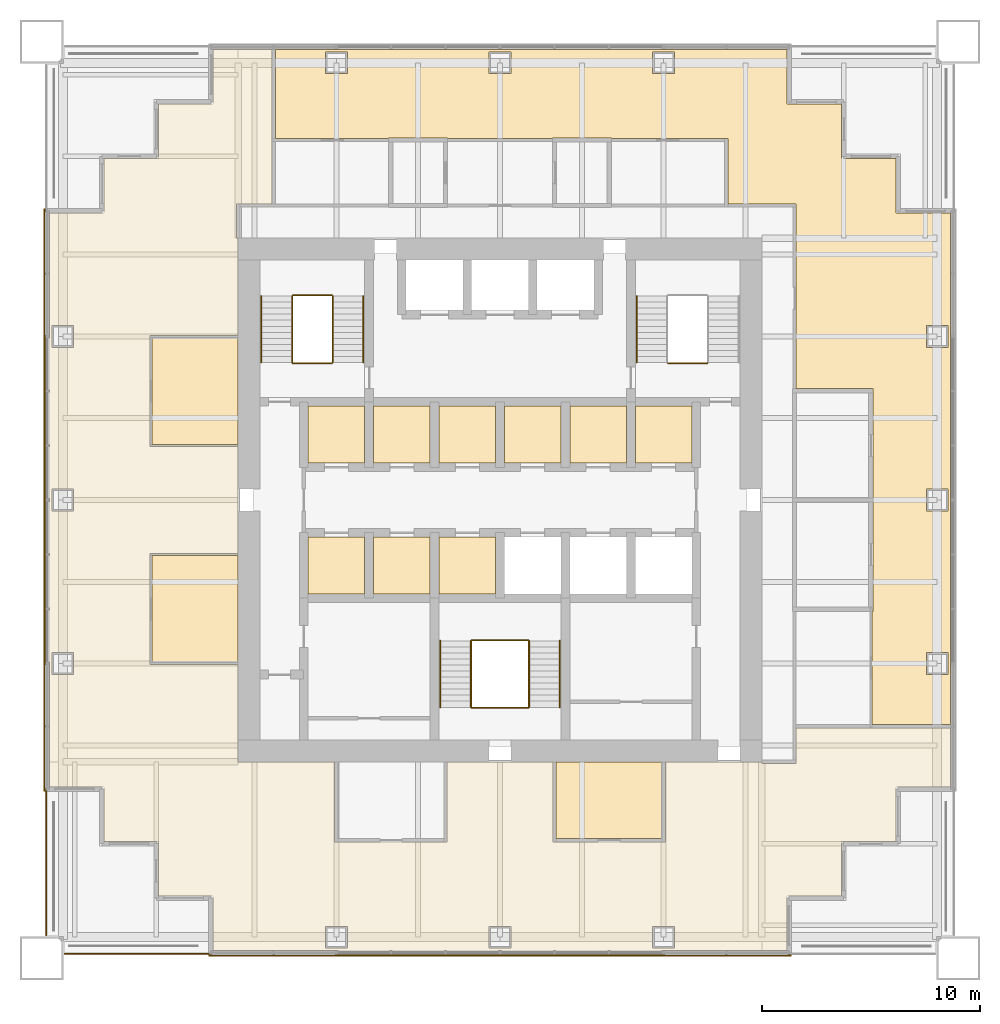
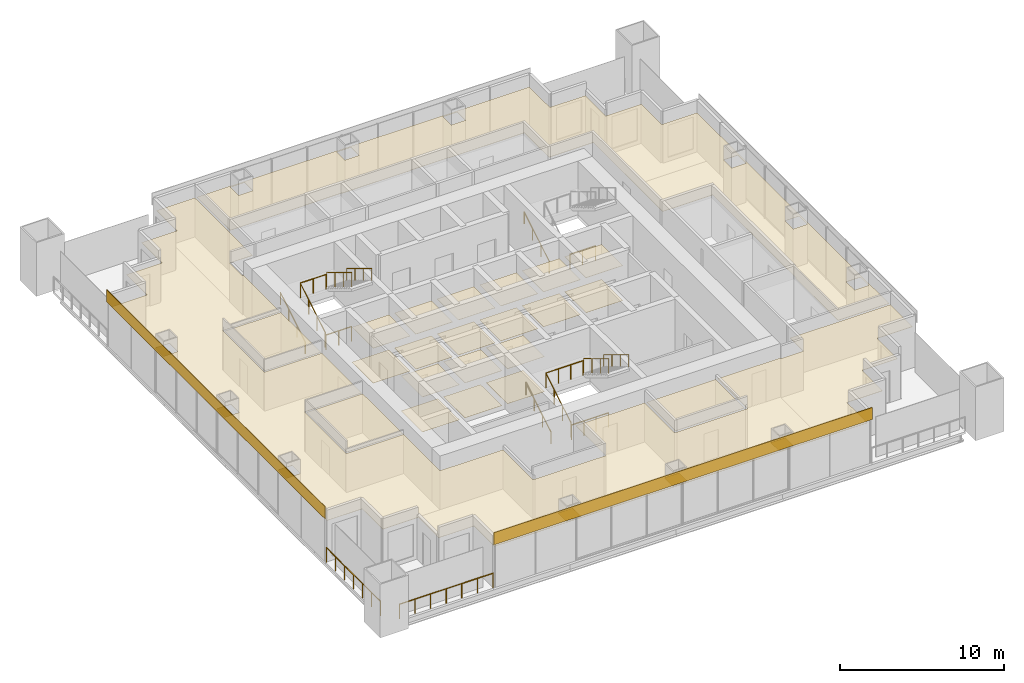
# One storey, part 13 of 14: 25 coverings, 16 railings.
"""IFC4 building model written with IfcOpenShell, lengths in metres."""

from ifc_helpers import new_model, si_unit, direction, frame, origin, origin_2d, place, context, subcontext, project, spatial, polyline, rectangle, circle, outline, extrude, material, layer, layer_set, type_object, element, save


model = new_model("IFC4")

# Units and contexts
model_context = context("Model", 3, precision=1e-05, world=origin(), true_north=direction((0.0, 1.0)))
body_context = subcontext(model_context, "Body", "Model", "MODEL_VIEW")
ifc_project = project(units=[si_unit("LENGTHUNIT", "METRE"), si_unit("AREAUNIT", "SQUARE_METRE"), si_unit("VOLUMEUNIT", "CUBIC_METRE"), si_unit("PLANEANGLEUNIT", "RADIAN"), si_unit("MASSUNIT", "GRAM", prefix="KILO")], contexts=[model_context])

# Site, building, storey
site_placement = place(None, origin())
site = spatial("IfcSite", under=ifc_project, at=site_placement, CompositionType="ELEMENT")
building_placement = place(site_placement, origin())
building = spatial("IfcBuilding", under=site, at=building_placement, Name="Tarangal Relay Tower", CompositionType="ELEMENT")
storey_placement = place(building_placement, frame((0.0, 0.0, 323.89990234375)))
storey = spatial("IfcBuildingStorey", under=building, at=storey_placement, Name="L72", CompositionType="ELEMENT", Elevation=323.89990234375)

# Coverings
ifc_material_1 = material(Name="Anti-static vinyl flooring", Category="plastic")
ifc_layer_1 = layer(ifc_material_1, 0.010009765625)
ifc_layer_set_1 = layer_set([ifc_layer_1], Name="Anti-static vinyl floor")
covering_type_1 = type_object("IfcCoveringType", Name="Anti-static vinyl floor", PredefinedType="FLOORING", material=ifc_layer_set_1)
covering_1_placement = place(storey_placement, origin())
element("IfcCovering", 1, at=covering_1_placement, inside=storey, type_object=covering_type_1, Name="Floor finish FL1 L72-D1", PredefinedType="FLOORING", context=body_context, shape_type="SweptSolid", body=[
    extrude(outline(polyline([(-8.800048828125, 1.699951171875), (-6.199951171875, 1.699951171875), (-6.199951171875, 4.300048828125), (-8.800048828125, 4.300048828125), (-8.800048828125, 1.699951171875)])), origin(), (0.0, 0.0, 1.0), 0.010009765625),
])
covering_2_placement = place(storey_placement, origin())
element("IfcCovering", 2, at=covering_2_placement, inside=storey, type_object=covering_type_1, Name="Floor finish FL1 L72-D2", PredefinedType="FLOORING", context=body_context, shape_type="SweptSolid", body=[
    extrude(outline(polyline([(-5.800048828125, 1.699951171875), (-3.199951171875, 1.699951171875), (-3.199951171875, 4.300048828125), (-5.800048828125, 4.300048828125), (-5.800048828125, 1.699951171875)])), origin(), (0.0, 0.0, 1.0), 0.010009765625),
])
covering_3_placement = place(storey_placement, origin())
element("IfcCovering", 3, at=covering_3_placement, inside=storey, type_object=covering_type_1, Name="Floor finish FL1 L72-D3", PredefinedType="FLOORING", context=body_context, shape_type="SweptSolid", body=[
    extrude(outline(polyline([(-2.800048828125, 1.699951171875), (-0.199951171875, 1.699951171875), (-0.199951171875, 4.300048828125), (-2.800048828125, 4.300048828125), (-2.800048828125, 1.699951171875)])), origin(), (0.0, 0.0, 1.0), 0.010009765625),
])
covering_4_placement = place(storey_placement, origin())
element("IfcCovering", 4, at=covering_4_placement, inside=storey, type_object=covering_type_1, Name="Floor finish FL1 L72-T1", PredefinedType="FLOORING", context=body_context, shape_type="SweptSolid", body=[
    extrude(outline(polyline([(0.199951171875, 1.699951171875), (2.800048828125, 1.699951171875), (2.800048828125, 4.300048828125), (0.199951171875, 4.300048828125), (0.199951171875, 1.699951171875)])), origin(), (0.0, 0.0, 1.0), 0.010009765625),
])
covering_5_placement = place(storey_placement, origin())
element("IfcCovering", 5, at=covering_5_placement, inside=storey, type_object=covering_type_1, Name="Floor finish FL1 L72-T2", PredefinedType="FLOORING", context=body_context, shape_type="SweptSolid", body=[
    extrude(outline(polyline([(3.199951171875, 1.699951171875), (5.800048828125, 1.699951171875), (5.800048828125, 4.300048828125), (3.199951171875, 4.300048828125), (3.199951171875, 1.699951171875)])), origin(), (0.0, 0.0, 1.0), 0.010009765625),
])
covering_6_placement = place(storey_placement, origin())
element("IfcCovering", 6, at=covering_6_placement, inside=storey, type_object=covering_type_1, Name="Floor finish FL1 L72-T3", PredefinedType="FLOORING", context=body_context, shape_type="SweptSolid", body=[
    extrude(outline(polyline([(6.199951171875, 1.699951171875), (8.800048828125, 1.699951171875), (8.800048828125, 4.300048828125), (6.199951171875, 4.300048828125), (6.199951171875, 1.699951171875)])), origin(), (0.0, 0.0, 1.0), 0.010009765625),
])
covering_7_placement = place(storey_placement, origin())
element("IfcCovering", 7, at=covering_7_placement, inside=storey, type_object=covering_type_1, Name="Floor finish FL1 L72-S1", PredefinedType="FLOORING", context=body_context, shape_type="SweptSolid", body=[
    extrude(outline(polyline([(-8.800048828125, -4.300048828125), (-6.199951171875, -4.300048828125), (-6.199951171875, -1.699951171875), (-8.800048828125, -1.699951171875), (-8.800048828125, -4.300048828125)])), origin(), (0.0, 0.0, 1.0), 0.010009765625),
])
covering_8_placement = place(storey_placement, origin())
element("IfcCovering", 8, at=covering_8_placement, inside=storey, type_object=covering_type_1, Name="Floor finish FL1 L72-S2", PredefinedType="FLOORING", context=body_context, shape_type="SweptSolid", body=[
    extrude(outline(polyline([(-5.800048828125, -4.300048828125), (-3.199951171875, -4.300048828125), (-3.199951171875, -1.699951171875), (-5.800048828125, -1.699951171875), (-5.800048828125, -4.300048828125)])), origin(), (0.0, 0.0, 1.0), 0.010009765625),
])
covering_9_placement = place(storey_placement, origin())
element("IfcCovering", 9, at=covering_9_placement, inside=storey, type_object=covering_type_1, Name="Floor finish FL1 L72-S3", PredefinedType="FLOORING", context=body_context, shape_type="SweptSolid", body=[
    extrude(outline(polyline([(-2.800048828125, -4.300048828125), (-0.199951171875, -4.300048828125), (-0.199951171875, -1.699951171875), (-2.800048828125, -1.699951171875), (-2.800048828125, -4.300048828125)])), origin(), (0.0, 0.0, 1.0), 0.010009765625),
])
ifc_material_2 = material(Name="Black anodised aluminium cladding", Category="aluminium")
ifc_layer_2 = layer(ifc_material_2, 0.050048828125)
ifc_layer_set_2 = layer_set([ifc_layer_2], Name="Black metal spandrel band")
covering_type_2 = type_object("IfcCoveringType", Name="Black metal spandrel band", PredefinedType="CLADDING", material=ifc_layer_set_2)
for number, where, z_axis, x_axis, name in (
    (10, (0.0, -20.875, 3.250244140625), (0.0, 0.0, 1.0), (-1.0, 0.0, 0.0), "Spandrel band SB1 S L72"),
    (11, (-20.875, 0.0, 3.250244140625), (0.0, 0.0, 1.0), (0.0, 1.0, 0.0), "Spandrel band SB1 W L72"),
):
    element("IfcCovering", number, at=place(storey_placement, frame(where, z_axis=z_axis, x_axis=x_axis)), inside=storey, type_object=covering_type_2, Name=name, PredefinedType="CLADDING", context=body_context, shape_type="SweptSolid", body=[
        extrude(rectangle(XDim=26.699951171875, YDim=0.050048828125, at=origin_2d()), origin(), (0.0, 0.0, 1.0), 0.89990234375),
    ])

# Railings
ifc_material_3 = material(Name="Steel guard, black finish", Category="steel")
railing_type_1 = type_object("IfcRailingType", Name="Stair guard 1100", PredefinedType="GUARDRAIL", material=ifc_material_3)
railing_1_placement = place(storey_placement, frame((-9.530029296875, 6.300048828125, 0.166748046875)))
element("IfcRailing", 12, at=railing_1_placement, inside=storey, type_object=railing_type_1, Name="Stair ST-A guard GR1 L72 flight 1", PredefinedType="GUARDRAIL", context=body_context, shape_type="SweptSolid", body=[
    extrude(circle(Radius=0.02392578125, at=origin_2d()), frame((0.0, 0.0, 1.076171875), z_axis=(0.0, 0.85685617095, 0.515555527858), x_axis=(-1.0, 0.0, 0.0)), (0.0, 0.0, 1.0), 3.555908203125),
    extrude(circle(Radius=0.02099609375, at=origin_2d()), origin(), (0.0, 0.0, 1.0), 1.052001953125),
    extrude(circle(Radius=0.02099609375, at=origin_2d()), frame((0.0, 1.015625, 0.611083984375)), (0.0, 0.0, 1.0), 1.052001953125),
    extrude(circle(Radius=0.02099609375, at=origin_2d()), frame((0.0, 2.03125, 1.22216796875)), (0.0, 0.0, 1.0), 1.052001953125),
    extrude(circle(Radius=0.02099609375, at=origin_2d()), frame((0.0, 3.046875, 1.833251953125)), (0.0, 0.0, 1.0), 1.052001953125),
])
railing_2_placement = place(storey_placement, frame((-7.669921875, 9.346923828125, 2.166748046875)))
element("IfcRailing", 13, at=railing_2_placement, inside=storey, type_object=railing_type_1, Name="Stair ST-A guard GR1 L72 flight 2", PredefinedType="GUARDRAIL", context=body_context, shape_type="SweptSolid", body=[
    extrude(circle(Radius=0.02392578125, at=origin_2d()), frame((0.0, 0.0, 1.076171875), z_axis=(0.0, -0.85685617095, 0.515555527858), x_axis=(1.0, 0.0, 0.0)), (0.0, 0.0, 1.0), 3.555908203125),
    extrude(circle(Radius=0.02099609375, at=origin_2d()), origin(), (0.0, 0.0, 1.0), 1.052001953125),
    extrude(circle(Radius=0.02099609375, at=origin_2d()), frame((0.0, -1.015625, 0.611083984375)), (0.0, 0.0, 1.0), 1.052001953125),
    extrude(circle(Radius=0.02099609375, at=origin_2d()), frame((0.0, -2.03125, 1.22216796875)), (0.0, 0.0, 1.0), 1.052001953125),
    extrude(circle(Radius=0.02099609375, at=origin_2d()), frame((0.0, -3.046875, 1.833251953125)), (0.0, 0.0, 1.0), 1.052001953125),
])
for number, where, name in (
    (14, (-9.5, 6.27001953125, 0.0), "Stair ST-A landing guard GR1 L72"),
    (15, (-9.5, 9.376953125, 2.0), "Stair ST-A landing guard GR1 L72"),
    (16, (7.699951171875, 6.27001953125, 0.0), "Stair ST-B landing guard GR1 L72"),
):
    element("IfcRailing", number, at=place(storey_placement, frame(where)), inside=storey, type_object=railing_type_1, Name=name, PredefinedType="GUARDRAIL", context=body_context, shape_type="SweptSolid", body=[
        extrude(circle(Radius=0.02392578125, at=origin_2d()), frame((0.0, 0.0, 1.076171875), z_axis=(1.0, 0.0, 0.0), x_axis=(0.0, 1.0, 0.0)), (0.0, 0.0, 1.0), 1.800048828125),
        extrude(circle(Radius=0.02099609375, at=origin_2d()), origin(), (0.0, 0.0, 1.0), 1.052001953125),
        extrude(circle(Radius=0.02099609375, at=origin_2d()), frame((0.89990234375, 0.0, 0.0)), (0.0, 0.0, 1.0), 1.052001953125),
        extrude(circle(Radius=0.02099609375, at=origin_2d()), frame((1.800048828125, 0.0, 0.0)), (0.0, 0.0, 1.0), 1.052001953125),
    ])
railing_3_placement = place(storey_placement, frame((-1.330078125, -9.5, 0.166748046875)))
element("IfcRailing", 17, at=railing_3_placement, inside=storey, type_object=railing_type_1, Name="Stair ST-C guard GR1 L72 flight 1", PredefinedType="GUARDRAIL", context=body_context, shape_type="SweptSolid", body=[
    extrude(circle(Radius=0.02392578125, at=origin_2d()), frame((0.0, 0.0, 1.076171875), z_axis=(0.0, 0.856874418557, 0.515525199018), x_axis=(-1.0, 0.0, 0.0)), (0.0, 0.0, 1.0), 3.55615234375),
    extrude(circle(Radius=0.02099609375, at=origin_2d()), origin(), (0.0, 0.0, 1.0), 1.052001953125),
    extrude(circle(Radius=0.02099609375, at=origin_2d()), frame((0.0, 1.015625, 0.611083984375)), (0.0, 0.0, 1.0), 1.052001953125),
    extrude(circle(Radius=0.02099609375, at=origin_2d()), frame((0.0, 2.031494140625, 1.22216796875)), (0.0, 0.0, 1.0), 1.052001953125),
    extrude(circle(Radius=0.02099609375, at=origin_2d()), frame((0.0, 3.047119140625, 1.833251953125)), (0.0, 0.0, 1.0), 1.052001953125),
])
railing_4_placement = place(storey_placement, frame((1.330078125, -6.452880859375, 2.166748046875)))
element("IfcRailing", 18, at=railing_4_placement, inside=storey, type_object=railing_type_1, Name="Stair ST-C guard GR1 L72 flight 2", PredefinedType="GUARDRAIL", context=body_context, shape_type="SweptSolid", body=[
    extrude(circle(Radius=0.02392578125, at=origin_2d()), frame((0.0, 0.0, 1.076171875), z_axis=(0.0, -0.856874418557, 0.515525199018), x_axis=(1.0, 0.0, 0.0)), (0.0, 0.0, 1.0), 3.55615234375),
    extrude(circle(Radius=0.02099609375, at=origin_2d()), origin(), (0.0, 0.0, 1.0), 1.052001953125),
    extrude(circle(Radius=0.02099609375, at=origin_2d()), frame((0.0, -1.015625, 0.611083984375)), (0.0, 0.0, 1.0), 1.052001953125),
    extrude(circle(Radius=0.02099609375, at=origin_2d()), frame((0.0, -2.031494140625, 1.22216796875)), (0.0, 0.0, 1.0), 1.052001953125),
    extrude(circle(Radius=0.02099609375, at=origin_2d()), frame((0.0, -3.047119140625, 1.833251953125)), (0.0, 0.0, 1.0), 1.052001953125),
])
for number, where, name in (
    (19, (-1.300048828125, -9.530029296875, 0.0), "Stair ST-C landing guard GR1 L72"),
    (20, (-1.300048828125, -6.423095703125, 2.0), "Stair ST-C landing guard GR1 L72"),
):
    element("IfcRailing", number, at=place(storey_placement, frame(where)), inside=storey, type_object=railing_type_1, Name=name, PredefinedType="GUARDRAIL", context=body_context, shape_type="SweptSolid", body=[
        extrude(circle(Radius=0.02392578125, at=origin_2d()), frame((0.0, 0.0, 1.076171875), z_axis=(1.0, 0.0, 0.0), x_axis=(0.0, 1.0, 0.0)), (0.0, 0.0, 1.0), 2.60009765625),
        extrude(circle(Radius=0.02099609375, at=origin_2d()), origin(), (0.0, 0.0, 1.0), 1.052001953125),
        extrude(circle(Radius=0.02099609375, at=origin_2d()), frame((0.86669921875, 0.0, 0.0)), (0.0, 0.0, 1.0), 1.052001953125),
        extrude(circle(Radius=0.02099609375, at=origin_2d()), frame((1.7333984375, 0.0, 0.0)), (0.0, 0.0, 1.0), 1.052001953125),
        extrude(circle(Radius=0.02099609375, at=origin_2d()), frame((2.60009765625, 0.0, 0.0)), (0.0, 0.0, 1.0), 1.052001953125),
    ])
ifc_material_4 = material(Name="Steel handrail, black finish", Category="steel")
railing_type_2 = type_object("IfcRailingType", Name="Stair handrail 900", PredefinedType="HANDRAIL", material=ifc_material_4)
railing_5_placement = place(storey_placement, frame((-10.93994140625, 6.300048828125, 0.166748046875)))
element("IfcRailing", 21, at=railing_5_placement, inside=storey, type_object=railing_type_2, Name="Stair ST-A handrail HR1 L72 flight 1", PredefinedType="HANDRAIL", context=body_context, shape_type="SweptSolid", body=[
    extrude(circle(Radius=0.02392578125, at=origin_2d()), frame((0.0, 0.0, 0.8759765625), z_axis=(0.0, 0.85685617095, 0.515555527858), x_axis=(-1.0, 0.0, 0.0)), (0.0, 0.0, 1.0), 3.555908203125),
    extrude(circle(Radius=0.02099609375, at=origin_2d()), origin(), (0.0, 0.0, 1.0), 0.851806640625),
    extrude(circle(Radius=0.02099609375, at=origin_2d()), frame((0.0, 1.015625, 0.611083984375)), (0.0, 0.0, 1.0), 0.851806640625),
    extrude(circle(Radius=0.02099609375, at=origin_2d()), frame((0.0, 2.03125, 1.22216796875)), (0.0, 0.0, 1.0), 0.851806640625),
    extrude(circle(Radius=0.02099609375, at=origin_2d()), frame((0.0, 3.046875, 1.833251953125)), (0.0, 0.0, 1.0), 0.851806640625),
])
railing_6_placement = place(storey_placement, frame((-6.260009765625, 9.346923828125, 2.166748046875)))
element("IfcRailing", 22, at=railing_6_placement, inside=storey, type_object=railing_type_2, Name="Stair ST-A handrail HR1 L72 flight 2", PredefinedType="HANDRAIL", context=body_context, shape_type="SweptSolid", body=[
    extrude(circle(Radius=0.02392578125, at=origin_2d()), frame((0.0, 0.0, 0.8759765625), z_axis=(0.0, -0.85685617095, 0.515555527858), x_axis=(1.0, 0.0, 0.0)), (0.0, 0.0, 1.0), 3.555908203125),
    extrude(circle(Radius=0.02099609375, at=origin_2d()), origin(), (0.0, 0.0, 1.0), 0.851806640625),
    extrude(circle(Radius=0.02099609375, at=origin_2d()), frame((0.0, -1.015625, 0.611083984375)), (0.0, 0.0, 1.0), 0.851806640625),
    extrude(circle(Radius=0.02099609375, at=origin_2d()), frame((0.0, -2.03125, 1.22216796875)), (0.0, 0.0, 1.0), 0.851806640625),
    extrude(circle(Radius=0.02099609375, at=origin_2d()), frame((0.0, -3.046875, 1.833251953125)), (0.0, 0.0, 1.0), 0.851806640625),
])
railing_7_placement = place(storey_placement, frame((6.260009765625, 6.300048828125, 0.166748046875)))
element("IfcRailing", 23, at=railing_7_placement, inside=storey, type_object=railing_type_2, Name="Stair ST-B handrail HR1 L72 flight 1", PredefinedType="HANDRAIL", context=body_context, shape_type="SweptSolid", body=[
    extrude(circle(Radius=0.02392578125, at=origin_2d()), frame((0.0, 0.0, 0.8759765625), z_axis=(0.0, 0.85685617095, 0.515555527858), x_axis=(-1.0, 0.0, 0.0)), (0.0, 0.0, 1.0), 3.555908203125),
    extrude(circle(Radius=0.02099609375, at=origin_2d()), origin(), (0.0, 0.0, 1.0), 0.851806640625),
    extrude(circle(Radius=0.02099609375, at=origin_2d()), frame((0.0, 1.015625, 0.611083984375)), (0.0, 0.0, 1.0), 0.851806640625),
    extrude(circle(Radius=0.02099609375, at=origin_2d()), frame((0.0, 2.03125, 1.22216796875)), (0.0, 0.0, 1.0), 0.851806640625),
    extrude(circle(Radius=0.02099609375, at=origin_2d()), frame((0.0, 3.046875, 1.833251953125)), (0.0, 0.0, 1.0), 0.851806640625),
])
railing_8_placement = place(storey_placement, frame((-2.739990234375, -9.5, 0.166748046875)))
element("IfcRailing", 24, at=railing_8_placement, inside=storey, type_object=railing_type_2, Name="Stair ST-C handrail HR1 L72 flight 1", PredefinedType="HANDRAIL", context=body_context, shape_type="SweptSolid", body=[
    extrude(circle(Radius=0.02392578125, at=origin_2d()), frame((0.0, 0.0, 0.8759765625), z_axis=(0.0, 0.856874418557, 0.515525199018), x_axis=(-1.0, 0.0, 0.0)), (0.0, 0.0, 1.0), 3.55615234375),
    extrude(circle(Radius=0.02099609375, at=origin_2d()), origin(), (0.0, 0.0, 1.0), 0.851806640625),
    extrude(circle(Radius=0.02099609375, at=origin_2d()), frame((0.0, 1.015625, 0.611083984375)), (0.0, 0.0, 1.0), 0.851806640625),
    extrude(circle(Radius=0.02099609375, at=origin_2d()), frame((0.0, 2.031494140625, 1.22216796875)), (0.0, 0.0, 1.0), 0.851806640625),
    extrude(circle(Radius=0.02099609375, at=origin_2d()), frame((0.0, 3.047119140625, 1.833251953125)), (0.0, 0.0, 1.0), 0.851806640625),
])
railing_9_placement = place(storey_placement, frame((2.739990234375, -6.452880859375, 2.166748046875)))
element("IfcRailing", 25, at=railing_9_placement, inside=storey, type_object=railing_type_2, Name="Stair ST-C handrail HR1 L72 flight 2", PredefinedType="HANDRAIL", context=body_context, shape_type="SweptSolid", body=[
    extrude(circle(Radius=0.02392578125, at=origin_2d()), frame((0.0, 0.0, 0.8759765625), z_axis=(0.0, -0.856874418557, 0.515525199018), x_axis=(1.0, 0.0, 0.0)), (0.0, 0.0, 1.0), 3.55615234375),
    extrude(circle(Radius=0.02099609375, at=origin_2d()), origin(), (0.0, 0.0, 1.0), 0.851806640625),
    extrude(circle(Radius=0.02099609375, at=origin_2d()), frame((0.0, -1.015625, 0.611083984375)), (0.0, 0.0, 1.0), 0.851806640625),
    extrude(circle(Radius=0.02099609375, at=origin_2d()), frame((0.0, -2.031494140625, 1.22216796875)), (0.0, 0.0, 1.0), 0.851806640625),
    extrude(circle(Radius=0.02099609375, at=origin_2d()), frame((0.0, -3.047119140625, 1.833251953125)), (0.0, 0.0, 1.0), 0.851806640625),
])

# Coverings
ifc_material_5 = material(Name="Mineral fibre ceiling tiles", Category="gypsum")
ifc_layer_3 = layer(ifc_material_5, 0.02001953125)
ifc_layer_set_3 = layer_set([ifc_layer_3], Name="Suspended ceiling")
covering_type_3 = type_object("IfcCoveringType", Name="Suspended ceiling", PredefinedType="CEILING", material=ifc_layer_set_3)
covering_10_placement = place(storey_placement, frame((0.0, 0.0, 2.60009765625)))
element("IfcCovering", 26, at=covering_10_placement, inside=storey, type_object=covering_type_3, Name="Suspended ceiling CL1 L72-D1", PredefinedType="CEILING", context=body_context, shape_type="SweptSolid", body=[
    extrude(outline(polyline([(-8.800048828125, 1.699951171875), (-6.199951171875, 1.699951171875), (-6.199951171875, 4.300048828125), (-8.800048828125, 4.300048828125), (-8.800048828125, 1.699951171875)])), origin(), (0.0, 0.0, 1.0), 0.02001953125),
])
covering_11_placement = place(storey_placement, frame((0.0, 0.0, 2.60009765625)))
element("IfcCovering", 27, at=covering_11_placement, inside=storey, type_object=covering_type_3, Name="Suspended ceiling CL1 L72-D2", PredefinedType="CEILING", context=body_context, shape_type="SweptSolid", body=[
    extrude(outline(polyline([(-5.800048828125, 1.699951171875), (-3.199951171875, 1.699951171875), (-3.199951171875, 4.300048828125), (-5.800048828125, 4.300048828125), (-5.800048828125, 1.699951171875)])), origin(), (0.0, 0.0, 1.0), 0.02001953125),
])
covering_12_placement = place(storey_placement, frame((0.0, 0.0, 2.60009765625)))
element("IfcCovering", 28, at=covering_12_placement, inside=storey, type_object=covering_type_3, Name="Suspended ceiling CL1 L72-D3", PredefinedType="CEILING", context=body_context, shape_type="SweptSolid", body=[
    extrude(outline(polyline([(-2.800048828125, 1.699951171875), (-0.199951171875, 1.699951171875), (-0.199951171875, 4.300048828125), (-2.800048828125, 4.300048828125), (-2.800048828125, 1.699951171875)])), origin(), (0.0, 0.0, 1.0), 0.02001953125),
])
covering_13_placement = place(storey_placement, frame((0.0, 0.0, 2.60009765625)))
element("IfcCovering", 29, at=covering_13_placement, inside=storey, type_object=covering_type_3, Name="Suspended ceiling CL1 L72-T1", PredefinedType="CEILING", context=body_context, shape_type="SweptSolid", body=[
    extrude(outline(polyline([(0.199951171875, 1.699951171875), (2.800048828125, 1.699951171875), (2.800048828125, 4.300048828125), (0.199951171875, 4.300048828125), (0.199951171875, 1.699951171875)])), origin(), (0.0, 0.0, 1.0), 0.02001953125),
])
covering_14_placement = place(storey_placement, frame((0.0, 0.0, 2.60009765625)))
element("IfcCovering", 30, at=covering_14_placement, inside=storey, type_object=covering_type_3, Name="Suspended ceiling CL1 L72-T2", PredefinedType="CEILING", context=body_context, shape_type="SweptSolid", body=[
    extrude(outline(polyline([(3.199951171875, 1.699951171875), (5.800048828125, 1.699951171875), (5.800048828125, 4.300048828125), (3.199951171875, 4.300048828125), (3.199951171875, 1.699951171875)])), origin(), (0.0, 0.0, 1.0), 0.02001953125),
])
covering_15_placement = place(storey_placement, frame((0.0, 0.0, 2.60009765625)))
element("IfcCovering", 31, at=covering_15_placement, inside=storey, type_object=covering_type_3, Name="Suspended ceiling CL1 L72-T3", PredefinedType="CEILING", context=body_context, shape_type="SweptSolid", body=[
    extrude(outline(polyline([(6.199951171875, 1.699951171875), (8.800048828125, 1.699951171875), (8.800048828125, 4.300048828125), (6.199951171875, 4.300048828125), (6.199951171875, 1.699951171875)])), origin(), (0.0, 0.0, 1.0), 0.02001953125),
])
covering_16_placement = place(storey_placement, frame((0.0, 0.0, 2.60009765625)))
element("IfcCovering", 32, at=covering_16_placement, inside=storey, type_object=covering_type_3, Name="Suspended ceiling CL1 L72-S1", PredefinedType="CEILING", context=body_context, shape_type="SweptSolid", body=[
    extrude(outline(polyline([(-8.800048828125, -4.300048828125), (-6.199951171875, -4.300048828125), (-6.199951171875, -1.699951171875), (-8.800048828125, -1.699951171875), (-8.800048828125, -4.300048828125)])), origin(), (0.0, 0.0, 1.0), 0.02001953125),
])
covering_17_placement = place(storey_placement, frame((0.0, 0.0, 2.60009765625)))
element("IfcCovering", 33, at=covering_17_placement, inside=storey, type_object=covering_type_3, Name="Suspended ceiling CL1 L72-S2", PredefinedType="CEILING", context=body_context, shape_type="SweptSolid", body=[
    extrude(outline(polyline([(-5.800048828125, -4.300048828125), (-3.199951171875, -4.300048828125), (-3.199951171875, -1.699951171875), (-5.800048828125, -1.699951171875), (-5.800048828125, -4.300048828125)])), origin(), (0.0, 0.0, 1.0), 0.02001953125),
])
covering_18_placement = place(storey_placement, frame((0.0, 0.0, 2.60009765625)))
element("IfcCovering", 34, at=covering_18_placement, inside=storey, type_object=covering_type_3, Name="Suspended ceiling CL1 L72-S3", PredefinedType="CEILING", context=body_context, shape_type="SweptSolid", body=[
    extrude(outline(polyline([(-2.800048828125, -4.300048828125), (-0.199951171875, -4.300048828125), (-0.199951171875, -1.699951171875), (-2.800048828125, -1.699951171875), (-2.800048828125, -4.300048828125)])), origin(), (0.0, 0.0, 1.0), 0.02001953125),
])
covering_19_placement = place(storey_placement, frame((0.0, 0.0, 2.900146484375)))
element("IfcCovering", 35, at=covering_19_placement, inside=storey, type_object=covering_type_3, Name="Suspended ceiling CL1 L72-10", PredefinedType="CEILING", context=body_context, shape_type="SweptSolid", body=[
    extrude(outline(polyline([(2.574951171875, -12.0), (2.574951171875, -15.52490234375), (7.425048828125, -15.52490234375), (7.425048828125, -12.0), (2.574951171875, -12.0)])), origin(), (0.0, 0.0, 1.0), 0.02001953125),
])
covering_20_placement = place(storey_placement, frame((0.0, 0.0, 2.900146484375)))
element("IfcCovering", 36, at=covering_20_placement, inside=storey, type_object=covering_type_3, Name="Suspended ceiling CL1 L72-12", PredefinedType="CEILING", context=body_context, shape_type="SweptSolid", body=[
    extrude(outline(polyline([(-12.0, -2.550048828125), (-15.949951171875, -2.550048828125), (-15.949951171875, -7.449951171875), (-12.0, -7.449951171875), (-12.0, -2.550048828125)])), origin(), (0.0, 0.0, 1.0), 0.02001953125),
])
covering_21_placement = place(storey_placement, frame((0.0, 0.0, 2.900146484375)))
element("IfcCovering", 37, at=covering_21_placement, inside=storey, type_object=covering_type_3, Name="Suspended ceiling CL1 L72-13", PredefinedType="CEILING", context=body_context, shape_type="SweptSolid", body=[
    extrude(outline(polyline([(-12.0, 7.449951171875), (-15.949951171875, 7.449951171875), (-15.949951171875, 2.550048828125), (-12.0, 2.550048828125), (-12.0, 7.449951171875)])), origin(), (0.0, 0.0, 1.0), 0.02001953125),
])
covering_22_placement = place(storey_placement, frame((0.0, 0.0, 2.900146484375)))
element("IfcCovering", 38, at=covering_22_placement, inside=storey, type_object=covering_type_3, Name="Suspended ceiling CL1 L72-14", PredefinedType="CEILING", context=body_context, shape_type="SweptSolid", body=[
    extrude(outline(polyline([(13.14990234375, 20.64990234375), (-10.300048828125, 20.64990234375), (-10.300048828125, 16.574951171875), (-5.10009765625, 16.574951171875), (-5.10009765625, 16.60009765625), (-2.39990234375, 16.60009765625), (-2.39990234375, 16.574951171875), (2.39990234375, 16.574951171875), (2.39990234375, 16.60009765625), (5.10009765625, 16.60009765625), (5.10009765625, 16.574951171875), (10.449951171875, 16.574951171875), (10.449951171875, 13.574951171875), (13.574951171875, 13.574951171875), (13.574951171875, 5.10009765625), (17.10009765625, 5.10009765625), (17.10009765625, -5.10009765625), (17.050048828125, -5.10009765625), (17.050048828125, -10.300048828125), (20.64990234375, -10.300048828125), (20.64990234375, 13.14990234375), (18.14990234375, 13.14990234375), (18.14990234375, 15.64990234375), (15.64990234375, 15.64990234375), (15.64990234375, 18.14990234375), (13.14990234375, 18.14990234375), (13.14990234375, 20.64990234375)]), holes=[polyline([(19.5400390625, -8.0), (20.5400390625, -8.0), (20.5400390625, -7.0), (19.5400390625, -7.0), (19.5400390625, -8.0)]), polyline([(19.5400390625, 0.5), (19.5400390625, -0.5), (20.5400390625, -0.5), (20.5400390625, 0.5), (19.5400390625, 0.5)]), polyline([(19.5400390625, 8.0), (19.5400390625, 7.0), (20.5400390625, 7.0), (20.5400390625, 8.0), (19.5400390625, 8.0)]), polyline([(-8.0, 19.5400390625), (-7.0, 19.5400390625), (-7.0, 20.5400390625), (-8.0, 20.5400390625), (-8.0, 19.5400390625)]), polyline([(-0.5, 20.5400390625), (-0.5, 19.5400390625), (0.5, 19.5400390625), (0.5, 20.5400390625), (-0.5, 20.5400390625)]), polyline([(7.0, 20.5400390625), (7.0, 19.5400390625), (8.0, 19.5400390625), (8.0, 20.5400390625), (7.0, 20.5400390625)])]), origin(), (0.0, 0.0, 1.0), 0.02001953125),
])
covering_23_placement = place(storey_placement, frame((0.0, 0.0, 2.900146484375)))
element("IfcCovering", 39, at=covering_23_placement, inside=storey, type_object=covering_type_3, Name="Suspended ceiling CL1 L72-15", PredefinedType="CEILING", context=body_context, shape_type="SweptSolid", body=[
    extrude(outline(polyline([(-12.0, 2.449951171875), (-16.050048828125, 2.449951171875), (-16.050048828125, 7.550048828125), (-12.0, 7.550048828125), (-12.0, 12.0), (-12.074951171875, 12.0), (-12.074951171875, 13.574951171875), (-10.449951171875, 13.574951171875), (-10.449951171875, 20.64990234375), (-13.14990234375, 20.64990234375), (-13.14990234375, 18.14990234375), (-15.64990234375, 18.14990234375), (-15.64990234375, 15.64990234375), (-18.14990234375, 15.64990234375), (-18.14990234375, 13.14990234375), (-20.64990234375, 13.14990234375), (-20.64990234375, -13.14990234375), (-18.14990234375, -13.14990234375), (-18.14990234375, -15.64990234375), (-15.64990234375, -15.64990234375), (-15.64990234375, -18.14990234375), (-13.14990234375, -18.14990234375), (-13.14990234375, -20.64990234375), (13.14990234375, -20.64990234375), (13.14990234375, -18.14990234375), (15.64990234375, -18.14990234375), (15.64990234375, -15.64990234375), (18.14990234375, -15.64990234375), (18.14990234375, -13.14990234375), (20.64990234375, -13.14990234375), (20.64990234375, -10.449951171875), (13.574951171875, -10.449951171875), (13.574951171875, -12.074951171875), (12.0, -12.074951171875), (12.0, -12.0), (7.574951171875, -12.0), (7.574951171875, -15.675048828125), (2.425048828125, -15.675048828125), (2.425048828125, -12.0), (-2.425048828125, -12.0), (-2.425048828125, -15.675048828125), (-7.574951171875, -15.675048828125), (-7.574951171875, -12.0), (-12.0, -12.0), (-12.0, -7.550048828125), (-16.050048828125, -7.550048828125), (-16.050048828125, -2.449951171875), (-12.0, -2.449951171875), (-12.0, 2.449951171875)]), holes=[polyline([(-8.0, -20.5400390625), (-7.0, -20.5400390625), (-7.0, -19.5400390625), (-8.0, -19.5400390625), (-8.0, -20.5400390625)]), polyline([(-0.5, -19.5400390625), (-0.5, -20.5400390625), (0.5, -20.5400390625), (0.5, -19.5400390625), (-0.5, -19.5400390625)]), polyline([(7.0, -19.5400390625), (7.0, -20.5400390625), (8.0, -20.5400390625), (8.0, -19.5400390625), (7.0, -19.5400390625)]), polyline([(-20.5400390625, -8.0), (-19.5400390625, -8.0), (-19.5400390625, -7.0), (-20.5400390625, -7.0), (-20.5400390625, -8.0)]), polyline([(-20.5400390625, 0.5), (-20.5400390625, -0.5), (-19.5400390625, -0.5), (-19.5400390625, 0.5), (-20.5400390625, 0.5)]), polyline([(-20.5400390625, 8.0), (-20.5400390625, 7.0), (-19.5400390625, 7.0), (-19.5400390625, 8.0), (-20.5400390625, 8.0)])]), origin(), (0.0, 0.0, 1.0), 0.02001953125),
])

# Railings
ifc_material_6 = material(Name="Black steel guard with glass infill", Category="steel")
railing_type_3 = type_object("IfcRailingType", Name="Terrace guard 1100", PredefinedType="GUARDRAIL", material=ifc_material_6)
railing_10_placement = place(storey_placement, frame((-13.35009765625, -20.800048828125, 0.0)))
element("IfcRailing", 40, at=railing_10_placement, inside=storey, type_object=railing_type_3, Name="Terrace guard GR2 SW L72", PredefinedType="GUARDRAIL", context=body_context, shape_type="SweptSolid", body=[
    extrude(circle(Radius=0.02392578125, at=origin_2d()), frame((0.0, 0.0, 1.076171875), z_axis=(-1.0, 0.0, 0.0), x_axis=(0.0, -1.0, 0.0)), (0.0, 0.0, 1.0), 6.599853515625),
    extrude(circle(Radius=0.02099609375, at=origin_2d()), origin(), (0.0, 0.0, 1.0), 1.052001953125),
    extrude(circle(Radius=0.02099609375, at=origin_2d()), frame((-1.10009765625, 0.0, 0.0)), (0.0, 0.0, 1.0), 1.052001953125),
    extrude(circle(Radius=0.02099609375, at=origin_2d()), frame((-2.199951171875, 0.0, 0.0)), (0.0, 0.0, 1.0), 1.052001953125),
    extrude(circle(Radius=0.02099609375, at=origin_2d()), frame((-3.2998046875, 0.0, 0.0)), (0.0, 0.0, 1.0), 1.052001953125),
    extrude(circle(Radius=0.02099609375, at=origin_2d()), frame((-4.39990234375, 0.0, 0.0)), (0.0, 0.0, 1.0), 1.052001953125),
    extrude(circle(Radius=0.02099609375, at=origin_2d()), frame((-5.5, 0.0, 0.0)), (0.0, 0.0, 1.0), 1.052001953125),
    extrude(circle(Radius=0.02099609375, at=origin_2d()), frame((-6.599853515625, 0.0, 0.0)), (0.0, 0.0, 1.0), 1.052001953125),
])
railing_11_placement = place(storey_placement, frame((-20.800048828125, -19.949951171875, 0.0)))
element("IfcRailing", 41, at=railing_11_placement, inside=storey, type_object=railing_type_3, Name="Terrace guard GR2 SW L72", PredefinedType="GUARDRAIL", context=body_context, shape_type="SweptSolid", body=[
    extrude(circle(Radius=0.02392578125, at=origin_2d()), frame((0.0, 0.0, 1.076171875), z_axis=(0.0, 1.0, 0.0), x_axis=(-1.0, 0.0, 0.0)), (0.0, 0.0, 1.0), 6.599853515625),
    extrude(circle(Radius=0.02099609375, at=origin_2d()), origin(), (0.0, 0.0, 1.0), 1.052001953125),
    extrude(circle(Radius=0.02099609375, at=origin_2d()), frame((0.0, 1.10009765625, 0.0)), (0.0, 0.0, 1.0), 1.052001953125),
    extrude(circle(Radius=0.02099609375, at=origin_2d()), frame((0.0, 2.199951171875, 0.0)), (0.0, 0.0, 1.0), 1.052001953125),
    extrude(circle(Radius=0.02099609375, at=origin_2d()), frame((0.0, 3.2998046875, 0.0)), (0.0, 0.0, 1.0), 1.052001953125),
    extrude(circle(Radius=0.02099609375, at=origin_2d()), frame((0.0, 4.39990234375, 0.0)), (0.0, 0.0, 1.0), 1.052001953125),
    extrude(circle(Radius=0.02099609375, at=origin_2d()), frame((0.0, 5.5, 0.0)), (0.0, 0.0, 1.0), 1.052001953125),
    extrude(circle(Radius=0.02099609375, at=origin_2d()), frame((0.0, 6.599853515625, 0.0)), (0.0, 0.0, 1.0), 1.052001953125),
])

save(model, "model.ifc")
